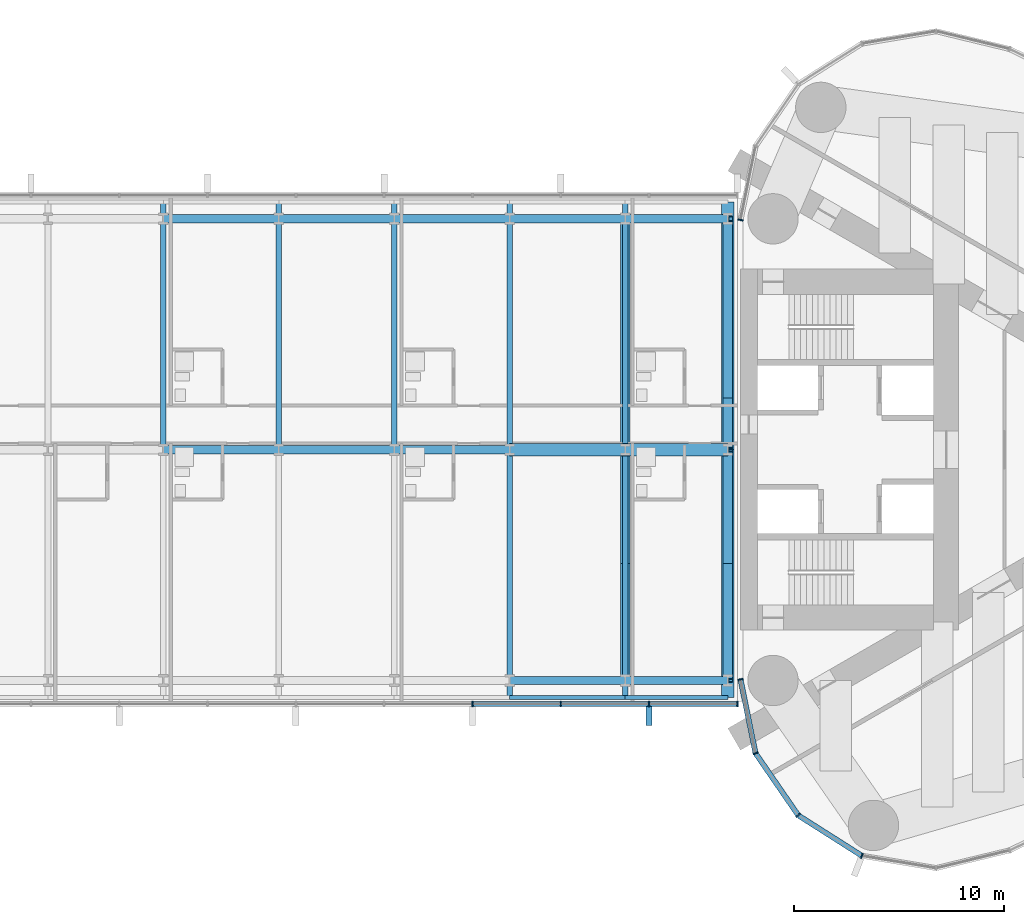
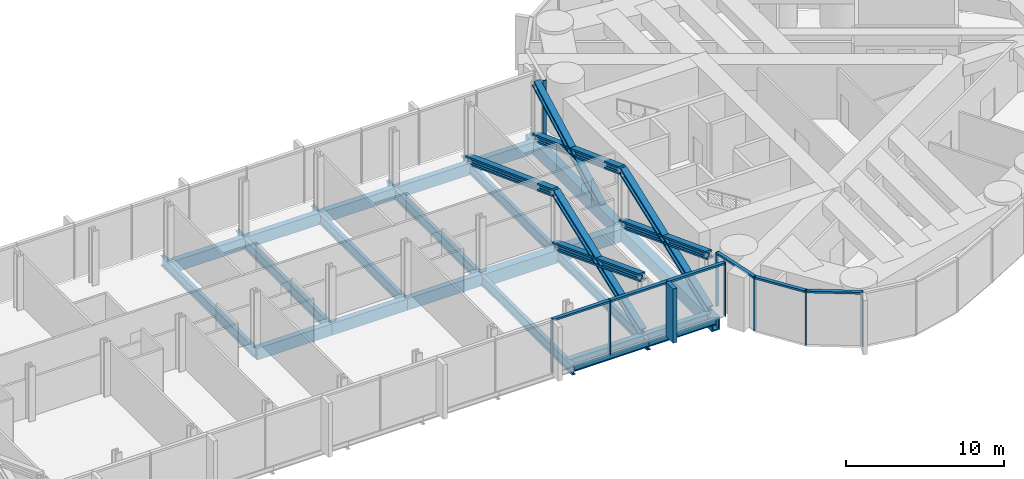
# One storey, part 8 of 23: 23 beams, 23 members, 2 elements without a shape of their own.
"""IFC4 building model written with IfcOpenShell, lengths in metres."""

from ifc_helpers import new_model, si_unit, direction, frame, origin, origin_2d, place, context, subcontext, project, spatial, rectangle, hollow_rectangle, i_section, extrude, material, material_profile, profile_set, type_object, element, aggregate, save


model = new_model("IFC4")

# Units and contexts
model_context = context("Model", 3, precision=1e-05, world=origin(), true_north=direction((0.0, 1.0)))
body_context = subcontext(model_context, "Body", "Model", "MODEL_VIEW")
ifc_project = project(units=[si_unit("LENGTHUNIT", "METRE"), si_unit("AREAUNIT", "SQUARE_METRE"), si_unit("VOLUMEUNIT", "CUBIC_METRE"), si_unit("PLANEANGLEUNIT", "RADIAN"), si_unit("MASSUNIT", "GRAM", prefix="KILO")], contexts=[model_context])

# Site, building, storey
site_placement = place(None, origin())
site = spatial("IfcSite", under=ifc_project, at=site_placement, CompositionType="ELEMENT")
building_placement = place(site_placement, origin())
building = spatial("IfcBuilding", under=site, at=building_placement, Name="Lancet Gate Hotel", CompositionType="ELEMENT")
storey_placement = place(building_placement, frame((0.0, 0.0, 247.699951171875)))
storey = spatial("IfcBuildingStorey", under=building, at=storey_placement, Name="L66", CompositionType="ELEMENT", Elevation=247.699951171875)

# Curtain wall, members
ifc_material_1 = material(Name="Aluminium curtain wall", Category="aluminium")
curtain_wall_type = type_object("IfcCurtainWallType", Name="Sky deck full-height glazing", PredefinedType="USERDEFINED", material=ifc_material_1)
curtain_wall_1_placement = place(storey_placement, origin())
curtain_wall_1 = element("IfcCurtainWall", 1, at=curtain_wall_1_placement, inside=storey, type_object=curtain_wall_type, Name="T2 L66 curtain wall 1", ObjectType="UNITISED CURTAIN WALL", PredefinedType="USERDEFINED")
ifc_material_2 = material(Name="Aluminium mullion", Category="aluminium")
ifc_material_profile_1 = material_profile(ifc_material_2, rectangle(XDim=0.06494140625, YDim=0.25, at=origin_2d()), Name="MULLION 65x250")
ifc_profile_set_1 = profile_set([ifc_material_profile_1], Name="Aluminium mullion")
member_type_1 = type_object("IfcMemberType", Name="Aluminium mullion 65x250", PredefinedType="MULLION", material=ifc_profile_set_1)
member_1_placement = place(storey_placement, frame((27.5, -10.947998046875, 0.0), z_axis=(0.0, 0.0, 1.0), x_axis=(0.199533486841, -0.979891008036, 0.0)))
member_1 = element("IfcMember", 2, at=member_1_placement, type_object=member_type_1, Name="T2 L66 curtain wall 1 mullion 1", PredefinedType="MULLION", context=body_context, shape_type="SweptSolid", body=[
    extrude(rectangle(XDim=0.06494140625, YDim=0.25, at=origin_2d()), origin(), (0.0, 0.0, 1.0), 4.199951171875),
])
member_2_placement = place(storey_placement, frame((28.216552734375, -14.467529296875, 0.0), z_axis=(0.0, 0.0, 1.0), x_axis=(0.391042139098, -0.920372775265, 0.0)))
member_2 = element("IfcMember", 3, at=member_2_placement, type_object=member_type_1, Name="T2 L66 curtain wall 1 mullion 2", PredefinedType="MULLION", context=body_context, shape_type="SweptSolid", body=[
    extrude(rectangle(XDim=0.06494140625, YDim=0.25, at=origin_2d()), origin(), (0.0, 0.0, 1.0), 4.199951171875),
])
member_3_placement = place(storey_placement, frame((30.25244140625, -17.42626953125, 0.0), z_axis=(0.0, 0.0, 1.0), x_axis=(0.719809077627, -0.694172090886, 0.0)))
member_3 = element("IfcMember", 4, at=member_3_placement, type_object=member_type_1, Name="T2 L66 curtain wall 1 mullion 3", PredefinedType="MULLION", context=body_context, shape_type="SweptSolid", body=[
    extrude(rectangle(XDim=0.06494140625, YDim=0.25, at=origin_2d()), origin(), (0.0, 0.0, 1.0), 4.199951171875),
])
member_4_placement = place(storey_placement, frame((33.283203125, -19.353515625, 0.0), z_axis=(0.0, 0.0, 1.0), x_axis=(0.93394321776, -0.357421412343, 0.0)))
member_4 = element("IfcMember", 5, at=member_4_placement, type_object=member_type_1, Name="T2 L66 curtain wall 1 mullion 4", PredefinedType="MULLION", context=body_context, shape_type="SweptSolid", body=[
    extrude(rectangle(XDim=0.06494140625, YDim=0.25, at=origin_2d()), origin(), (0.0, 0.0, 1.0), 4.199951171875),
])
member_5_placement = place(storey_placement, frame((27.5, 10.947998046875, 0.0), z_axis=(0.0, 0.0, 1.0), x_axis=(-0.199533486841, -0.979891008036, 0.0)))
member_5 = element("IfcMember", 6, at=member_5_placement, type_object=member_type_1, Name="T2 L66 curtain wall 1 mullion 27", PredefinedType="MULLION", context=body_context, shape_type="SweptSolid", body=[
    extrude(rectangle(XDim=0.06494140625, YDim=0.25, at=origin_2d()), origin(), (0.0, 0.0, 1.0), 4.199951171875),
])

curtain_wall_2_placement = place(storey_placement, origin())
curtain_wall_2 = element("IfcCurtainWall", 7, at=curtain_wall_2_placement, inside=storey, type_object=curtain_wall_type, Name="Bridge block L66 curtain wall S", ObjectType="UNITISED CURTAIN WALL", PredefinedType="USERDEFINED")
member_6_placement = place(storey_placement, frame((14.726806640625, -12.1201171875, 0.0), z_axis=(0.0, 0.0, 1.0), x_axis=(1.0, 0.0, 0.0)))
member_6 = element("IfcMember", 8, at=member_6_placement, type_object=member_type_1, Name="Bridge block L66 curtain wall S mullion 11", PredefinedType="MULLION", context=body_context, shape_type="SweptSolid", body=[
    extrude(rectangle(XDim=0.06494140625, YDim=0.25, at=origin_2d()), origin(), (0.0, 0.0, 1.0), 4.199951171875),
])
member_7_placement = place(storey_placement, frame((18.9345703125, -12.1201171875, 0.0), z_axis=(0.0, 0.0, 1.0), x_axis=(1.0, 0.0, 0.0)))
member_7 = element("IfcMember", 9, at=member_7_placement, type_object=member_type_1, Name="Bridge block L66 curtain wall S mullion 12", PredefinedType="MULLION", context=body_context, shape_type="SweptSolid", body=[
    extrude(rectangle(XDim=0.06494140625, YDim=0.25, at=origin_2d()), origin(), (0.0, 0.0, 1.0), 4.199951171875),
])
member_8_placement = place(storey_placement, frame((23.142333984375, -12.1201171875, 0.0), z_axis=(0.0, 0.0, 1.0), x_axis=(1.0, 0.0, 0.0)))
member_8 = element("IfcMember", 10, at=member_8_placement, type_object=member_type_1, Name="Bridge block L66 curtain wall S mullion 13", PredefinedType="MULLION", context=body_context, shape_type="SweptSolid", body=[
    extrude(rectangle(XDim=0.06494140625, YDim=0.25, at=origin_2d()), origin(), (0.0, 0.0, 1.0), 4.199951171875),
])
member_9_placement = place(storey_placement, frame((27.35009765625, -12.1201171875, 0.0), z_axis=(0.0, 0.0, 1.0), x_axis=(1.0, 0.0, 0.0)))
member_9 = element("IfcMember", 11, at=member_9_placement, type_object=member_type_1, Name="Bridge block L66 curtain wall S mullion 14", PredefinedType="MULLION", context=body_context, shape_type="SweptSolid", body=[
    extrude(rectangle(XDim=0.06494140625, YDim=0.25, at=origin_2d()), origin(), (0.0, 0.0, 1.0), 4.199951171875),
])

# Member
ifc_material_3 = material(Name="Aluminium transom", Category="aluminium")
ifc_material_profile_2 = material_profile(ifc_material_3, rectangle(XDim=0.25, YDim=0.14990234375, at=origin_2d()), Name="TRANSOM 250x150")
ifc_profile_set_2 = profile_set([ifc_material_profile_2], Name="Aluminium transom")
member_type_2 = type_object("IfcMemberType", Name="Aluminium transom 250x150", PredefinedType="USERDEFINED", material=ifc_profile_set_2)
member_10_placement = place(storey_placement, frame((27.506591796875, -10.97998046875, 4.125), z_axis=(0.19952323725, -0.979893095086, 0.0), x_axis=(0.979893095086, 0.19952323725, 0.0)))
member_10 = element("IfcMember", 12, at=member_10_placement, type_object=member_type_2, Name="T2 L66 curtain wall 1 transom 1", ObjectType="TRANSOM", PredefinedType="USERDEFINED", context=body_context, shape_type="SweptSolid", body=[
    extrude(rectangle(XDim=0.25, YDim=0.14990234375, at=origin_2d()), origin(), (0.0, 0.0, 1.0), 3.5263671875),
])

member_11_placement = place(storey_placement, frame((28.235107421875, -14.494140625, 4.125), z_axis=(0.566813768052, -0.82384595183, 0.0), x_axis=(0.82384595183, 0.566813768052, 0.0)))
member_11 = element("IfcMember", 13, at=member_11_placement, type_object=member_type_2, Name="T2 L66 curtain wall 1 transom 2", ObjectType="TRANSOM", PredefinedType="USERDEFINED", context=body_context, shape_type="SweptSolid", body=[
    extrude(rectangle(XDim=0.25, YDim=0.14990234375, at=origin_2d()), origin(), (0.0, 0.0, 1.0), 3.52685546875),
])

member_12_placement = place(storey_placement, frame((30.27978515625, -17.44384765625, 4.125), z_axis=(0.84385811281, -0.536566384938, 0.0), x_axis=(0.536566384938, 0.84385811281, 0.0)))
member_12 = element("IfcMember", 14, at=member_12_placement, type_object=member_type_2, Name="T2 L66 curtain wall 1 transom 3", ObjectType="TRANSOM", PredefinedType="USERDEFINED", context=body_context, shape_type="SweptSolid", body=[
    extrude(rectangle(XDim=0.25, YDim=0.14990234375, at=origin_2d()), origin(), (0.0, 0.0, 1.0), 3.52685546875),
])

aggregate(curtain_wall_1, [member_1, member_2, member_3, member_4, member_5, member_10, member_11, member_12])

member_13_placement = place(storey_placement, frame((14.759521484375, -12.1201171875, 4.125), z_axis=(1.0, 0.0, 0.0), x_axis=(0.0, 1.0, 0.0)))
member_13 = element("IfcMember", 15, at=member_13_placement, type_object=member_type_2, Name="Bridge block L66 curtain wall S transom 11", ObjectType="TRANSOM", PredefinedType="USERDEFINED", context=body_context, shape_type="SweptSolid", body=[
    extrude(rectangle(XDim=0.25, YDim=0.14990234375, at=origin_2d()), origin(), (0.0, 0.0, 1.0), 4.142578125),
])

member_14_placement = place(storey_placement, frame((18.967041015625, -12.1201171875, 4.125), z_axis=(1.0, 0.0, 0.0), x_axis=(0.0, 1.0, 0.0)))
member_14 = element("IfcMember", 16, at=member_14_placement, type_object=member_type_2, Name="Bridge block L66 curtain wall S transom 12", ObjectType="TRANSOM", PredefinedType="USERDEFINED", context=body_context, shape_type="SweptSolid", body=[
    extrude(rectangle(XDim=0.25, YDim=0.14990234375, at=origin_2d()), origin(), (0.0, 0.0, 1.0), 4.142822265625),
])

member_15_placement = place(storey_placement, frame((23.1748046875, -12.1201171875, 4.125), z_axis=(1.0, 0.0, 0.0), x_axis=(0.0, 1.0, 0.0)))
member_15 = element("IfcMember", 17, at=member_15_placement, type_object=member_type_2, Name="Bridge block L66 curtain wall S transom 13", ObjectType="TRANSOM", PredefinedType="USERDEFINED", context=body_context, shape_type="SweptSolid", body=[
    extrude(rectangle(XDim=0.25, YDim=0.14990234375, at=origin_2d()), origin(), (0.0, 0.0, 1.0), 4.142578125),
])

# Members
ifc_material_4 = material(Name="Steel S460", Category="steel")
ifc_material_profile_3 = material_profile(ifc_material_4, i_section(OverallWidth=0.4541015625, OverallDepth=0.569091796875, WebThickness=0.077880859375, FlangeThickness=0.125, FilletRadius=0.02001953125, at=origin_2d()), Name="HD 400x1086")
ifc_profile_set_3 = profile_set([ifc_material_profile_3], Name="Steel S460")
member_type_3 = type_object("IfcMemberType", Name="Block brace HD 400x1086", PredefinedType="BRACE", material=ifc_profile_set_3)
member_16_placement = place(storey_placement, frame((26.89990234375, -11.0, 0.0), z_axis=(0.0, 0.937024738711, 0.349262994094), x_axis=(-1.0, 0.0, 0.0)))
element("IfcMember", 18, at=member_16_placement, inside=storey, type_object=member_type_3, Name="Block brace EY11 L66", PredefinedType="BRACE", context=body_context, shape_type="SweptSolid", body=[
    extrude(i_section(OverallWidth=0.4541015625, OverallDepth=0.569091796875, WebThickness=0.077880859375, FlangeThickness=0.125, FilletRadius=0.02001953125, at=origin_2d()), origin(), (0.0, 0.0, 1.0), 11.7392578125),
])
member_17_placement = place(storey_placement, frame((26.89990234375, 0.0, 0.0), z_axis=(0.0, -0.934219768083, 0.356697946341), x_axis=(1.0, 0.0, 0.0)))
element("IfcMember", 19, at=member_17_placement, inside=storey, type_object=member_type_3, Name="Block brace EY12 L66", PredefinedType="BRACE", context=body_context, shape_type="SweptSolid", body=[
    extrude(i_section(OverallWidth=0.4541015625, OverallDepth=0.569091796875, WebThickness=0.077880859375, FlangeThickness=0.125, FilletRadius=0.02001953125, at=origin_2d()), origin(), (0.0, 0.0, 1.0), 11.7744140625),
])
for number, where, z_axis, x_axis, name in (
    (20, (26.89990234375, 11.0, 0.0), (0.0, -0.937024738711, 0.349262994094), (1.0, 0.0, 0.0), "Block brace EY22 L66"),
    (21, (22.0, -11.0, 0.0), (0.0, 0.937024738711, 0.349262994094), (-1.0, 0.0, 0.0), "Block brace EI11 L66"),
):
    element("IfcMember", number, at=place(storey_placement, frame(where, z_axis=z_axis, x_axis=x_axis)), inside=storey, type_object=member_type_3, Name=name, PredefinedType="BRACE", context=body_context, shape_type="SweptSolid", body=[
        extrude(i_section(OverallWidth=0.4541015625, OverallDepth=0.569091796875, WebThickness=0.077880859375, FlangeThickness=0.125, FilletRadius=0.02001953125, at=origin_2d()), origin(), (0.0, 0.0, 1.0), 11.7392578125),
    ])
member_18_placement = place(storey_placement, frame((22.0, 0.0, 0.0), z_axis=(0.0, -0.934219768083, 0.356697946341), x_axis=(1.0, 0.0, 0.0)))
element("IfcMember", 22, at=member_18_placement, inside=storey, type_object=member_type_3, Name="Block brace EI12 L66", PredefinedType="BRACE", context=body_context, shape_type="SweptSolid", body=[
    extrude(i_section(OverallWidth=0.4541015625, OverallDepth=0.569091796875, WebThickness=0.077880859375, FlangeThickness=0.125, FilletRadius=0.02001953125, at=origin_2d()), origin(), (0.0, 0.0, 1.0), 11.7744140625),
])
member_19_placement = place(storey_placement, frame((22.0, 11.0, 0.0), z_axis=(0.0, -0.937024738711, 0.349262994094), x_axis=(1.0, 0.0, 0.0)))
element("IfcMember", 23, at=member_19_placement, inside=storey, type_object=member_type_3, Name="Block brace EI22 L66", PredefinedType="BRACE", context=body_context, shape_type="SweptSolid", body=[
    extrude(i_section(OverallWidth=0.4541015625, OverallDepth=0.569091796875, WebThickness=0.077880859375, FlangeThickness=0.125, FilletRadius=0.02001953125, at=origin_2d()), origin(), (0.0, 0.0, 1.0), 11.7392578125),
])
member_20_placement = place(storey_placement, frame((26.89990234375, 2.60009765625, -0.300048828125), z_axis=(0.0, 0.881477684796, 0.472225678258), x_axis=(-1.0, 0.0, 0.0)))
element("IfcMember", 24, at=member_20_placement, inside=storey, type_object=member_type_3, Name="Block brace EY23 L66", PredefinedType="BRACE", context=body_context, shape_type="SweptSolid", body=[
    extrude(i_section(OverallWidth=0.4541015625, OverallDepth=0.569091796875, WebThickness=0.077880859375, FlangeThickness=0.125, FilletRadius=0.02001953125, at=origin_2d()), origin(), (0.0, 0.0, 1.0), 9.529296875),
])

# Beams
ifc_material_5 = material(Name="Steel S355", Category="steel")
ifc_material_profile_4 = material_profile(ifc_material_5, i_section(OverallWidth=0.19140625, OverallDepth=0.4599609375, WebThickness=0.010009765625, FlangeThickness=0.01611328125, FilletRadius=0.01025390625, at=origin_2d()), Name="UKB 457x191x82")
ifc_profile_set_4 = profile_set([ifc_material_profile_4], Name="Steel S355")
beam_type_1 = type_object("IfcBeamType", Name="Block edge beam UKB 457x191x82", PredefinedType="SPANDREL", material=ifc_profile_set_4)
beam_1_placement = place(storey_placement, frame((16.5, -11.800048828125, -0.429931640625), z_axis=(1.0, 0.0, 0.0), x_axis=(0.0, 1.0, 0.0)))
element("IfcBeam", 25, at=beam_1_placement, inside=storey, type_object=beam_type_1, Name="Block edge beam S 8-9 L66", PredefinedType="SPANDREL", context=body_context, shape_type="SweptSolid", body=[
    extrude(i_section(OverallWidth=0.19140625, OverallDepth=0.4599609375, WebThickness=0.010009765625, FlangeThickness=0.01611328125, FilletRadius=0.01025390625, at=origin_2d()), origin(), (0.0, 0.0, 1.0), 5.5),
])
beam_2_placement = place(storey_placement, frame((22.0, -11.800048828125, -0.429931640625), z_axis=(1.0, 0.0, 0.0), x_axis=(0.0, 1.0, 0.0)))
element("IfcBeam", 26, at=beam_2_placement, inside=storey, type_object=beam_type_1, Name="Block edge beam S 9-10 L66", PredefinedType="SPANDREL", context=body_context, shape_type="SweptSolid", body=[
    extrude(i_section(OverallWidth=0.19140625, OverallDepth=0.4599609375, WebThickness=0.010009765625, FlangeThickness=0.01611328125, FilletRadius=0.01025390625, at=origin_2d()), origin(), (0.0, 0.0, 1.0), 4.89990234375),
])
ifc_material_6 = material(Name="Steel S460QL", Category="steel")
ifc_material_profile_5 = material_profile(ifc_material_6, hollow_rectangle(XDim=0.60009765625, YDim=1.0, WallThickness=0.10009765625, at=origin_2d()), Name="BOX 1000x600x100")
ifc_profile_set_5 = profile_set([ifc_material_profile_5], Name="Steel S460QL")
beam_type_2 = type_object("IfcBeamType", Name="Block end beam BOX 1000x600x100", PredefinedType="BEAM", material=ifc_profile_set_5)
for number, where, z_axis, x_axis, name in (
    (27, (26.89990234375, -11.800048828125, -0.699951171875), (0.0, 1.0, 0.0), (-1.0, 0.0, 0.0), "Block beam x10 S L66"),
    (28, (26.89990234375, 0.0, -0.699951171875), (0.0, 1.0, 0.0), (-1.0, 0.0, 0.0), "Block beam x10 N L66"),
):
    element("IfcBeam", number, at=place(storey_placement, frame(where, z_axis=z_axis, x_axis=x_axis)), inside=storey, type_object=beam_type_2, Name=name, PredefinedType="BEAM", context=body_context, shape_type="SweptSolid", body=[
        extrude(hollow_rectangle(XDim=0.60009765625, YDim=1.0, WallThickness=0.10009765625, at=origin_2d()), origin(), (0.0, 0.0, 1.0), 11.800048828125),
    ])
ifc_material_7 = material(Name="Steel S460QL", Category="steel")
ifc_material_profile_6 = material_profile(ifc_material_7, hollow_rectangle(XDim=0.60009765625, YDim=1.0, WallThickness=0.080078125, at=origin_2d()), Name="BOX 1000x600x80")
ifc_profile_set_6 = profile_set([ifc_material_profile_6], Name="Steel S460QL")
beam_type_3 = type_object("IfcBeamType", Name="Block primary beam BOX 1000x600x80", PredefinedType="BEAM", material=ifc_profile_set_6)
beam_3_placement = place(storey_placement, frame((16.5, 0.0, -0.699951171875), z_axis=(1.0, 0.0, 0.0), x_axis=(0.0, 1.0, 0.0)))
element("IfcBeam", 29, at=beam_3_placement, inside=storey, type_object=beam_type_3, Name="Block primary beam M 9 L66", PredefinedType="BEAM", context=body_context, shape_type="SweptSolid", body=[
    extrude(hollow_rectangle(XDim=0.60009765625, YDim=1.0, WallThickness=0.080078125, at=origin_2d()), origin(), (0.0, 0.0, 1.0), 5.5),
])
beam_4_placement = place(storey_placement, frame((22.0, 0.0, -0.699951171875), z_axis=(1.0, 0.0, 0.0), x_axis=(0.0, 1.0, 0.0)))
element("IfcBeam", 30, at=beam_4_placement, inside=storey, type_object=beam_type_3, Name="Block primary beam M 10 L66", PredefinedType="BEAM", context=body_context, shape_type="SweptSolid", body=[
    extrude(hollow_rectangle(XDim=0.60009765625, YDim=1.0, WallThickness=0.080078125, at=origin_2d()), origin(), (0.0, 0.0, 1.0), 4.89990234375),
])
ifc_material_8 = material(Name="Steel S355", Category="steel")
ifc_material_profile_7 = material_profile(ifc_material_8, hollow_rectangle(XDim=0.39990234375, YDim=0.89990234375, WallThickness=0.0400390625, at=origin_2d()), Name="BOX 900x400x40")
ifc_profile_set_7 = profile_set([ifc_material_profile_7], Name="Steel S355")
beam_type_4 = type_object("IfcBeamType", Name="Block primary beam BOX 900x400x40", PredefinedType="BEAM", material=ifc_profile_set_7)
beam_5_placement = place(storey_placement, frame((16.5, -11.0, -0.64990234375), z_axis=(1.0, 0.0, 0.0), x_axis=(0.0, 1.0, 0.0)))
element("IfcBeam", 31, at=beam_5_placement, inside=storey, type_object=beam_type_4, Name="Block primary beam S 9 L66", PredefinedType="BEAM", context=body_context, shape_type="SweptSolid", body=[
    extrude(hollow_rectangle(XDim=0.39990234375, YDim=0.89990234375, WallThickness=0.0400390625, at=origin_2d()), origin(), (0.0, 0.0, 1.0), 5.5),
])
beam_6_placement = place(storey_placement, frame((22.0, -11.0, -0.64990234375), z_axis=(1.0, 0.0, 0.0), x_axis=(0.0, 1.0, 0.0)))
element("IfcBeam", 32, at=beam_6_placement, inside=storey, type_object=beam_type_4, Name="Block primary beam S 10 L66", PredefinedType="BEAM", context=body_context, shape_type="SweptSolid", body=[
    extrude(hollow_rectangle(XDim=0.39990234375, YDim=0.89990234375, WallThickness=0.0400390625, at=origin_2d()), origin(), (0.0, 0.0, 1.0), 4.89990234375),
])
for number, where, z_axis, x_axis, name in (
    (33, (0.0, 0.0, -0.64990234375), (1.0, 0.0, 0.0), (0.0, 1.0, 0.0), "Block primary beam M 6 L66"),
    (34, (5.5, 0.0, -0.64990234375), (1.0, 0.0, 0.0), (0.0, 1.0, 0.0), "Block primary beam M 7 L66"),
    (35, (11.0, 0.0, -0.64990234375), (1.0, 0.0, 0.0), (0.0, 1.0, 0.0), "Block primary beam M 8 L66"),
    (36, (0.0, 11.0, -0.64990234375), (1.0, 0.0, 0.0), (0.0, 1.0, 0.0), "Block primary beam N 6 L66"),
    (37, (5.5, 11.0, -0.64990234375), (1.0, 0.0, 0.0), (0.0, 1.0, 0.0), "Block primary beam N 7 L66"),
    (38, (11.0, 11.0, -0.64990234375), (1.0, 0.0, 0.0), (0.0, 1.0, 0.0), "Block primary beam N 8 L66"),
    (39, (16.5, 11.0, -0.64990234375), (1.0, 0.0, 0.0), (0.0, 1.0, 0.0), "Block primary beam N 9 L66"),
):
    element("IfcBeam", number, at=place(storey_placement, frame(where, z_axis=z_axis, x_axis=x_axis)), inside=storey, type_object=beam_type_4, Name=name, PredefinedType="BEAM", context=body_context, shape_type="SweptSolid", body=[
        extrude(hollow_rectangle(XDim=0.39990234375, YDim=0.89990234375, WallThickness=0.0400390625, at=origin_2d()), origin(), (0.0, 0.0, 1.0), 5.5),
    ])
beam_7_placement = place(storey_placement, frame((22.0, 11.0, -0.64990234375), z_axis=(1.0, 0.0, 0.0), x_axis=(0.0, 1.0, 0.0)))
element("IfcBeam", 40, at=beam_7_placement, inside=storey, type_object=beam_type_4, Name="Block primary beam N 10 L66", PredefinedType="BEAM", context=body_context, shape_type="SweptSolid", body=[
    extrude(hollow_rectangle(XDim=0.39990234375, YDim=0.89990234375, WallThickness=0.0400390625, at=origin_2d()), origin(), (0.0, 0.0, 1.0), 4.89990234375),
])
ifc_material_9 = material(Name="Steel S355", Category="steel")
ifc_material_profile_8 = material_profile(ifc_material_9, i_section(OverallWidth=0.26806640625, OverallDepth=0.769775390625, WebThickness=0.015625, FlangeThickness=0.025390625, FilletRadius=0.0166015625, at=origin_2d()), Name="UKB 762x267x197")
ifc_profile_set_8 = profile_set([ifc_material_profile_8], Name="Steel S355")
beam_type_5 = type_object("IfcBeamType", Name="Block secondary beam UKB 762x267x197", PredefinedType="JOIST", material=ifc_profile_set_8)
for number, where, z_axis, x_axis, name in (
    (41, (0.0, 0.0, -0.5849609375), (0.0, 1.0, 0.0), (-1.0, 0.0, 0.0), "Block beam x5 N L66"),
    (42, (5.5, 0.0, -0.5849609375), (0.0, 1.0, 0.0), (-1.0, 0.0, 0.0), "Block beam x6 N L66"),
    (43, (11.0, 0.0, -0.5849609375), (0.0, 1.0, 0.0), (-1.0, 0.0, 0.0), "Block beam x7 N L66"),
    (44, (16.5, -11.800048828125, -0.5849609375), (0.0, 1.0, 0.0), (-1.0, 0.0, 0.0), "Block beam x8 S L66"),
    (45, (16.5, 0.0, -0.5849609375), (0.0, 1.0, 0.0), (-1.0, 0.0, 0.0), "Block beam x8 N L66"),
    (46, (22.0, -11.800048828125, -0.5849609375), (0.0, 1.0, 0.0), (-1.0, 0.0, 0.0), "Block beam x9 S L66"),
    (47, (22.0, 0.0, -0.5849609375), (0.0, 1.0, 0.0), (-1.0, 0.0, 0.0), "Block beam x9 N L66"),
):
    element("IfcBeam", number, at=place(storey_placement, frame(where, z_axis=z_axis, x_axis=x_axis)), inside=storey, type_object=beam_type_5, Name=name, PredefinedType="JOIST", context=body_context, shape_type="SweptSolid", body=[
        extrude(i_section(OverallWidth=0.26806640625, OverallDepth=0.769775390625, WebThickness=0.015625, FlangeThickness=0.025390625, FilletRadius=0.0166015625, at=origin_2d()), origin(), (0.0, 0.0, 1.0), 11.800048828125),
    ])

# Member
ifc_material_10 = material(Name="Precast concrete C50/60", Category="concrete")
ifc_material_profile_9 = material_profile(ifc_material_10, rectangle(XDim=0.300048828125, YDim=0.89990234375, at=origin_2d()), Name="FIN 300x900")
ifc_profile_set_9 = profile_set([ifc_material_profile_9], Name="Precast concrete C50/60")
member_type_4 = type_object("IfcMemberType", Name="Exposed concrete fin 300x900", PredefinedType="USERDEFINED", material=ifc_profile_set_9)
member_21_placement = place(storey_placement, frame((23.142333984375, -12.695068359375, 0.0), z_axis=(0.0, 0.0, 1.0), x_axis=(1.0, 0.0, 0.0)))
member_21 = element("IfcMember", 48, at=member_21_placement, type_object=member_type_4, Name="Bridge block L66 curtain wall S fin 13", ObjectType="FIN", PredefinedType="USERDEFINED", context=body_context, shape_type="SweptSolid", body=[
    extrude(rectangle(XDim=0.300048828125, YDim=0.89990234375, at=origin_2d()), origin(), (0.0, 0.0, 1.0), 4.199951171875),
])

aggregate(curtain_wall_2, [member_6, member_7, member_8, member_21, member_9, member_13, member_14, member_15])

save(model, "model.ifc")
